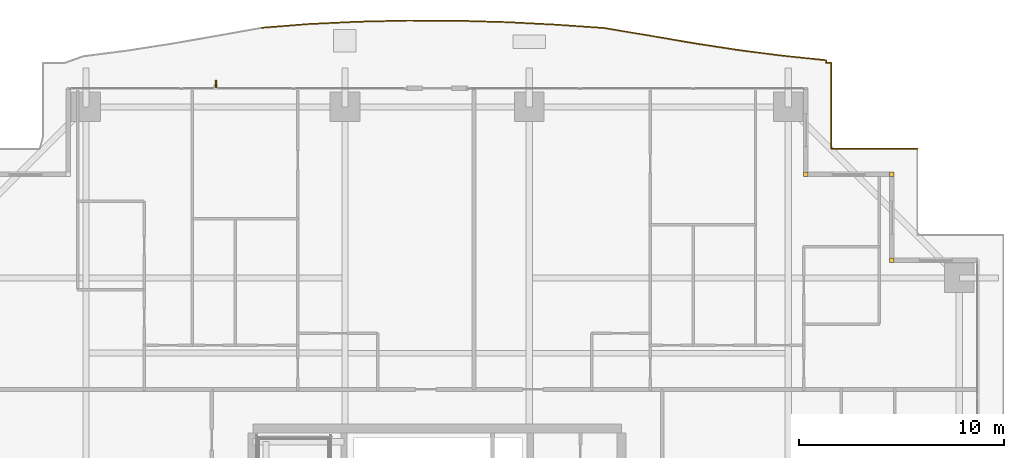
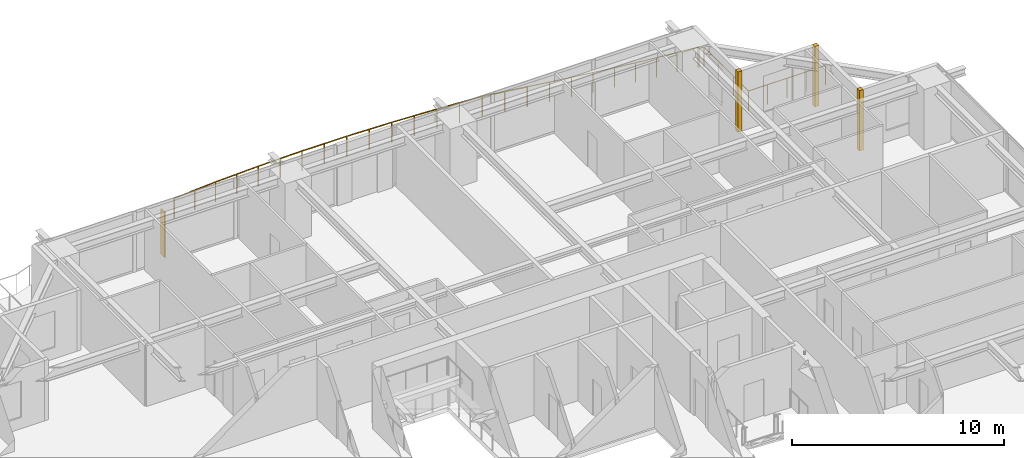
# One storey, part 36 of 36: 3 coverings, 2 railings, 1 shading device.
"""IFC4 building model written with IfcOpenShell, lengths in metres."""

import ifcopenshell
import ifcopenshell.guid

model = None  # the IFC model being written
_history = None  # IfcOwnerHistory: only IFC2X3 demands one
_inside = {}  # id of a spatial element -> (the spatial element, [elements in it])
_under = {}  # id of a project, library or spatial element -> (it, [spatial elements below it])
_declared = {}  # id of a project -> (the project, [libraries it declares])
_typed = {}  # id of a type object -> (the type object, [elements of that type])
_made_of = {}  # id of a material, layer set ... -> (it, [elements and type objects made of it])


def new_model(schema):
    """Start an empty IFC model of exactly this schema.

    Asked for "IFC4X3", IfcOpenShell would pick the latest addendum, in which some entities
    have other attributes; the version numbers below select the first issue.
    IFC2X3 requires an IfcOwnerHistory on every rooted entity: one is made here for all.
    """
    global model, _history
    if schema == "IFC4X3":
        model = ifcopenshell.file(schema_version=(4, 3, 0, 0))
    else:
        model = ifcopenshell.file(schema=schema)
    _inside.clear()
    _under.clear()
    _declared.clear()
    _typed.clear()
    _made_of.clear()
    _history = None
    if model.schema == "IFC2X3":
        org = make("IfcOrganization", Name="unknown")
        user = make(
            "IfcPersonAndOrganization",
            ThePerson=make("IfcPerson", FamilyName="unknown"),
            TheOrganization=org,
        )
        app = make(
            "IfcApplication",
            ApplicationDeveloper=org,
            Version="unknown",
            ApplicationFullName="unknown",
            ApplicationIdentifier="unknown",
        )
        _history = make(
            "IfcOwnerHistory",
            OwningUser=user,
            OwningApplication=app,
            ChangeAction="ADDED",
            CreationDate=0,
        )
    return model


def make(cls, **values):
    """One entity of the class cls with the attributes given. An attribute that is None is left unset."""
    return model.create_entity(
        cls, **{name: value for name, value in values.items() if value is not None}
    )


def rooted(cls, **values):
    """An entity with a GlobalId (a new one), such as an element, a storey or a relation."""
    return make(cls, GlobalId=ifcopenshell.guid.new(), OwnerHistory=_history, **values)


def si_unit(unit_type, name, prefix=None):
    """IfcSIUnit, for example si_unit("LENGTHUNIT", "METRE", prefix="MILLI")."""
    return make("IfcSIUnit", UnitType=unit_type, Prefix=prefix, Name=name)


def assignment(units):
    """IfcUnitAssignment: the units of a project."""
    return None if units is None else make("IfcUnitAssignment", Units=units)


def point(xyz):
    """IfcCartesianPoint."""
    return None if xyz is None else make("IfcCartesianPoint", Coordinates=xyz)


def direction(xyz):
    """IfcDirection."""
    return None if xyz is None else make("IfcDirection", DirectionRatios=xyz)


def frame(location, z_axis=None, x_axis=None):
    """IfcAxis2Placement3D, a coordinate frame: its origin and axes. An axis left out is left unset."""
    return make(
        "IfcAxis2Placement3D",
        Location=point(location),
        Axis=direction(z_axis),
        RefDirection=direction(x_axis),
    )


def frame_2d(location, x_axis=None):
    """IfcAxis2Placement2D, a coordinate frame in the plane: its origin and x axis."""
    return make(
        "IfcAxis2Placement2D", Location=point(location), RefDirection=direction(x_axis)
    )


def origin():
    """The frame at (0, 0, 0) with its axes left unset."""
    return frame((0.0, 0.0, 0.0))


def origin_2d():
    """The frame at (0, 0) in the plane with its x axis left unset."""
    return frame_2d((0.0, 0.0))


def place(relative_to, where):
    """IfcLocalPlacement: puts the frame where relative to a parent placement (None: the world)."""
    return make(
        "IfcLocalPlacement", PlacementRelTo=relative_to, RelativePlacement=where
    )


def context(
    kind, dimensions, precision=None, world=None, true_north=None, identifier=None
):
    """IfcGeometricRepresentationContext, for example the 3D "Model" context."""
    return make(
        "IfcGeometricRepresentationContext",
        ContextIdentifier=identifier,
        ContextType=kind,
        CoordinateSpaceDimension=dimensions,
        Precision=precision,
        WorldCoordinateSystem=world,
        TrueNorth=true_north,
    )


def subcontext(parent, identifier, kind, view, scale=None):
    """IfcGeometricRepresentationSubContext, for example "Body" below "Model"."""
    return make(
        "IfcGeometricRepresentationSubContext",
        ContextIdentifier=identifier,
        ContextType=kind,
        ParentContext=parent,
        TargetScale=scale,
        TargetView=view,
    )


def project(units=None, contexts=None):
    """IfcProject with its units and contexts."""
    return rooted(
        "IfcProject",
        Name="project",
        RepresentationContexts=contexts,
        UnitsInContext=assignment(units),
    )


def spatial(cls, under=None, at=None, **own):
    """A site, building, storey or space (cls), placed at a placement, below another one or the project."""
    s = rooted(cls, ObjectPlacement=at, **own)
    if under is not None:
        _under.setdefault(under.id(), (under, []))[1].append(s)
    return s


def profile(cls, at=None, kind="AREA", **sizes):
    """A parametric profile (cls). Its sizes go by their IFC names, for example OverallWidth=200.0."""
    return make(cls, ProfileType=kind, Position=at, **sizes)


def rectangle(**sizes):
    """IfcRectangleProfileDef."""
    return profile("IfcRectangleProfileDef", **sizes)


def circle(**sizes):
    """IfcCircleProfileDef."""
    return profile("IfcCircleProfileDef", **sizes)


def extrude(swept, where, along, depth):
    """IfcExtrudedAreaSolid: the profile swept, set in the frame where, extruded along a direction by depth."""
    return make(
        "IfcExtrudedAreaSolid",
        SweptArea=swept,
        Position=where,
        ExtrudedDirection=direction(along),
        Depth=depth,
    )


def shape(context_of_items, identifier, shape_type, items):
    """IfcShapeRepresentation: the items that make up one representation, for example the "Body"."""
    return make(
        "IfcShapeRepresentation",
        ContextOfItems=context_of_items,
        RepresentationIdentifier=identifier,
        RepresentationType=shape_type,
        Items=items,
    )


def source(mapping_origin, context_of_items, identifier, shape_type, items):
    """IfcRepresentationMap: a shape defined once, which mapped items show again and again."""
    return make(
        "IfcRepresentationMap",
        MappingOrigin=mapping_origin,
        MappedRepresentation=shape(context_of_items, identifier, shape_type, items),
    )


def transform(
    local_origin,
    x_axis=None,
    y_axis=None,
    z_axis=None,
    scale=None,
    scale2=None,
    scale3=None,
    uniform=True,
):
    """IfcCartesianTransformationOperator3D, or its non-uniform kind. x_axis, y_axis, z_axis: its Axis1, 2, 3."""
    if uniform:
        return make(
            "IfcCartesianTransformationOperator3D",
            Axis1=direction(x_axis),
            Axis2=direction(y_axis),
            LocalOrigin=point(local_origin),
            Scale=scale,
            Axis3=direction(z_axis),
        )
    return make(
        "IfcCartesianTransformationOperator3DnonUniform",
        Axis1=direction(x_axis),
        Axis2=direction(y_axis),
        LocalOrigin=point(local_origin),
        Scale=scale,
        Axis3=direction(z_axis),
        Scale2=scale2,
        Scale3=scale3,
    )


def mapped(mapping_source, mapping_target):
    """IfcMappedItem: shows the shape of a source again, moved by a transform."""
    return make(
        "IfcMappedItem", MappingSource=mapping_source, MappingTarget=mapping_target
    )


def material(Name=None, Category=None):
    """IfcMaterial."""
    return make("IfcMaterial", Name=Name, Category=Category)


def layer(
    of_material, thickness, ventilated=None, Name=None, Category=None, Priority=None
):
    """IfcMaterialLayer: one layer of a wall or slab, of a material (None: an air gap)."""
    return make(
        "IfcMaterialLayer",
        Material=of_material,
        LayerThickness=thickness,
        IsVentilated=ventilated,
        Name=Name,
        Category=Category,
        Priority=Priority,
    )


def layer_set(layers, Name=None):
    """IfcMaterialLayerSet."""
    return make("IfcMaterialLayerSet", MaterialLayers=layers, LayerSetName=Name)


def made_of(thing, what):
    """Note that an element or type object is made of a material, layer set ...; save() writes the relation."""
    if what is not None:
        _made_of.setdefault(what.id(), (what, []))[1].append(thing)
    return thing


def type_object(cls, material=None, **own):
    """A type object (cls), such as IfcWallType, which elements share."""
    return made_of(rooted(cls, **own), material)


def element(
    cls,
    number,
    at=None,
    inside=None,
    cuts=None,
    type_object=None,
    material=None,
    context=None,
    identifier="Body",
    shape_type=None,
    held_by="IfcProductDefinitionShape",
    body=None,
    shapes=None,
    **own,
):
    """One element of the class cls, such as IfcWall. Its Tag is "e" and its number.

    at: its placement. inside: the storey or other place that contains it. cuts: it is an
    opening in that element (IfcRelVoidsElement). A single representation is given by context,
    identifier, shape_type and body (its items); several are given by shapes. held_by: the class
    of the entity that holds the representations. save() writes the other relations.
    """
    e = rooted(cls, Tag="e%d" % number, ObjectPlacement=at, **own)
    if body is not None:
        shapes = [shape(context, identifier, shape_type, body)]
    if shapes is not None:
        e.Representation = make(held_by, Representations=shapes)
    if inside is not None:
        _inside.setdefault(inside.id(), (inside, []))[1].append(e)
    if cuts is not None:
        rooted(
            "IfcRelVoidsElement", RelatingBuildingElement=cuts, RelatedOpeningElement=e
        )
    if type_object is not None:
        _typed.setdefault(type_object.id(), (type_object, []))[1].append(e)
    return made_of(e, material)


def aggregate(whole, parts):
    """IfcRelAggregates: a whole, such as a stair, and the parts it consists of."""
    return rooted("IfcRelAggregates", RelatingObject=whole, RelatedObjects=parts)


def save(model, path):
    """Write the relations noted so far, then the file.

    IfcRelAggregates (storeys below a building ...), IfcRelContainedInSpatialStructure (elements
    in a storey), IfcRelDefinesByType, IfcRelAssociatesMaterial and IfcRelDeclares: one each for
    every whole, place, type object, material and project.
    """
    for whole, parts in _under.values():
        aggregate(whole, parts)
    for where, things in _inside.values():
        rooted(
            "IfcRelContainedInSpatialStructure",
            RelatedElements=things,
            RelatingStructure=where,
        )
    for kind, things in _typed.values():
        rooted("IfcRelDefinesByType", RelatedObjects=things, RelatingType=kind)
    for what, things in _made_of.values():
        rooted("IfcRelAssociatesMaterial", RelatedObjects=things, RelatingMaterial=what)
    for by, libraries in _declared.values():
        rooted("IfcRelDeclares", RelatingContext=by, RelatedDefinitions=libraries)
    model.write(path)


model = new_model("IFC4")

# Units and contexts
model_context = context("Model", 3, precision=1e-05, world=origin(), true_north=direction((0.0, 1.0)))
body_context = subcontext(model_context, "Body", "Model", "MODEL_VIEW")
ifc_project = project(units=[si_unit("LENGTHUNIT", "METRE"), si_unit("AREAUNIT", "SQUARE_METRE"), si_unit("VOLUMEUNIT", "CUBIC_METRE"), si_unit("PLANEANGLEUNIT", "RADIAN"), si_unit("MASSUNIT", "GRAM", prefix="KILO")], contexts=[model_context])

# Site, building, storey
site_placement = place(None, origin())
site = spatial("IfcSite", under=ifc_project, at=site_placement, CompositionType="ELEMENT")
building_placement = place(site_placement, origin())
building = spatial("IfcBuilding", under=site, at=building_placement, Name="Serunith Strait Residences", CompositionType="ELEMENT")
storey_placement = place(building_placement, frame((0.0, 0.0, 41.699951171875)))
storey = spatial("IfcBuildingStorey", under=building, at=storey_placement, Name="L09", CompositionType="ELEMENT", Elevation=41.699951171875)

# Railings
ifc_material_1 = material(Name="Stainless Steel & Laminated Glass Balustrade", Category="steel")
railing_type = type_object("IfcRailingType", Name="RLG-BALC-1150", PredefinedType="BALUSTRADE", material=ifc_material_1)
railing_1_placement = place(storey_placement, frame((23.78759765625, 53.162109375, -0.050048828125)))
element("IfcRailing", 1, at=railing_1_placement, inside=storey, type_object=railing_type, Name="L09 Swirling Balcony Perimeter Balustrade 5", PredefinedType="BALUSTRADE", context=body_context, shape_type="SweptSolid", body=[
    extrude(circle(Radius=0.02392578125, at=origin_2d()), frame((0.001953125, 0.000244140625, 1.1259765625), z_axis=(0.996883615867, 0.078886351266, 0.0), x_axis=(-0.078886351266, 0.996883615867, 0.0)), (0.0, 0.0, 1.0), 2.357421875),
    extrude(circle(Radius=0.02392578125, at=origin_2d()), frame((2.35595703125, 0.186279296875, 1.1259765625), z_axis=(0.998869749053, 0.047531299451, 0.0), x_axis=(-0.047531299451, 0.998869749053, 0.0)), (0.0, 0.0, 1.0), 2.394775390625),
    extrude(circle(Radius=0.02392578125, at=origin_2d()), frame((4.751953125, 0.30029296875, 1.1259765625), z_axis=(0.999737492495, 0.022911702251, 0.0), x_axis=(-0.022911702251, 0.999737492495, 0.0)), (0.0, 0.0, 1.0), 2.414794921875),
    extrude(circle(Radius=0.02392578125, at=origin_2d()), frame((7.170166015625, 0.355712890625, 1.1259765625), z_axis=(0.999994144172, -0.00342222455, 0.0), x_axis=(0.00342222455, 0.999994144172, 0.0)), (0.0, 0.0, 1.0), 2.421630859375),
    extrude(circle(Radius=0.02392578125, at=origin_2d()), frame((9.595703125, 0.347412109375, 1.1259765625), z_axis=(0.999588702533, -0.028677966615, 0.0), x_axis=(0.028677966615, 0.999588702533, 0.0)), (0.0, 0.0, 1.0), 2.413818359375),
    extrude(circle(Radius=0.02392578125, at=origin_2d()), frame((12.012451171875, 0.278076171875, 1.1259765625), z_axis=(0.998692200836, -0.051126196698, 0.0), x_axis=(0.051126196698, 0.998692200836, 0.0)), (0.0, 0.0, 1.0), 2.39306640625),
    extrude(circle(Radius=0.02392578125, at=origin_2d()), frame((14.406494140625, 0.1552734375, 1.1259765625), z_axis=(0.997637646817, -0.068695892554, 0.0), x_axis=(0.068695892554, 0.997637646817, 0.0)), (0.0, 0.0, 1.0), 2.363037109375),
    extrude(circle(Radius=0.02392578125, at=origin_2d()), frame((16.767822265625, -0.00732421875, 1.1259765625), z_axis=(0.986231656121, -0.165369647954, 0.0), x_axis=(0.165369647954, 0.986231656121, 0.0)), (0.0, 0.0, 1.0), 2.27978515625),
    extrude(circle(Radius=0.02099609375, at=origin_2d()), origin(), (0.0, 0.0, 1.0), 1.099853515625),
    extrude(circle(Radius=0.02099609375, at=origin_2d()), frame((1.177001953125, 0.09326171875, 0.0)), (0.0, 0.0, 1.0), 1.099853515625),
    extrude(circle(Radius=0.02099609375, at=origin_2d()), frame((2.35400390625, 0.186279296875, 0.0)), (0.0, 0.0, 1.0), 1.099853515625),
    extrude(circle(Radius=0.02099609375, at=origin_2d()), frame((3.552001953125, 0.2431640625, 0.0)), (0.0, 0.0, 1.0), 1.099853515625),
    extrude(circle(Radius=0.02099609375, at=origin_2d()), frame((4.75, 0.30029296875, 0.0)), (0.0, 0.0, 1.0), 1.099853515625),
    extrude(circle(Radius=0.02099609375, at=origin_2d()), frame((5.958984375, 0.328125, 0.0)), (0.0, 0.0, 1.0), 1.099853515625),
    extrude(circle(Radius=0.02099609375, at=origin_2d()), frame((7.168212890625, 0.355712890625, 0.0)), (0.0, 0.0, 1.0), 1.099853515625),
    extrude(circle(Radius=0.02099609375, at=origin_2d()), frame((8.380859375, 0.3515625, 0.0)), (0.0, 0.0, 1.0), 1.099853515625),
    extrude(circle(Radius=0.02099609375, at=origin_2d()), frame((9.59375, 0.347412109375, 0.0)), (0.0, 0.0, 1.0), 1.099853515625),
    extrude(circle(Radius=0.02099609375, at=origin_2d()), frame((10.80224609375, 0.312744140625, 0.0)), (0.0, 0.0, 1.0), 1.099853515625),
    extrude(circle(Radius=0.02099609375, at=origin_2d()), frame((12.010498046875, 0.278076171875, 0.0)), (0.0, 0.0, 1.0), 1.099853515625),
    extrude(circle(Radius=0.02099609375, at=origin_2d()), frame((13.20751953125, 0.216796875, 0.0)), (0.0, 0.0, 1.0), 1.099853515625),
    extrude(circle(Radius=0.02099609375, at=origin_2d()), frame((14.404541015625, 0.155517578125, 0.0)), (0.0, 0.0, 1.0), 1.099853515625),
    extrude(circle(Radius=0.02099609375, at=origin_2d()), frame((15.585205078125, 0.07421875, 0.0)), (0.0, 0.0, 1.0), 1.099853515625),
    extrude(circle(Radius=0.02099609375, at=origin_2d()), frame((16.765869140625, -0.007080078125, 0.0)), (0.0, 0.0, 1.0), 1.099853515625),
    extrude(circle(Radius=0.02099609375, at=origin_2d()), frame((17.89208984375, -0.19580078125, 0.0)), (0.0, 0.0, 1.0), 1.099853515625),
    extrude(circle(Radius=0.02099609375, at=origin_2d()), frame((19.018310546875, -0.384765625, 0.0)), (0.0, 0.0, 1.0), 1.099853515625),
])
railing_2_placement = place(storey_placement, frame((42.805908203125, 52.77734375, -0.050048828125)))
element("IfcRailing", 2, at=railing_2_placement, inside=storey, type_object=railing_type, Name="L09 Swirling Balcony Perimeter Balustrade 6", PredefinedType="BALUSTRADE", context=body_context, shape_type="SweptSolid", body=[
    extrude(circle(Radius=0.02392578125, at=origin_2d()), frame((0.001953125, -0.000244140625, 1.1259765625), z_axis=(0.985677648762, -0.168640365068, 0.0), x_axis=(0.168640365068, 0.985677648762, 0.0)), (0.0, 0.0, 1.0), 2.216796875),
    extrude(circle(Radius=0.02392578125, at=origin_2d()), frame((2.19091796875, -0.374755859375, 1.1259765625), z_axis=(0.988468821321, -0.151424533269, 0.0), x_axis=(0.151424533269, 0.988468821321, 0.0)), (0.0, 0.0, 1.0), 2.1708984375),
    extrude(circle(Radius=0.02392578125, at=origin_2d()), frame((4.3408203125, -0.7041015625, 1.1259765625), z_axis=(0.991834130709, -0.12753453321, 0.0), x_axis=(0.12753453321, 0.991834130709, 0.0)), (0.0, 0.0, 1.0), 2.141845703125),
    extrude(circle(Radius=0.02392578125, at=origin_2d()), frame((6.46923828125, -0.977783203125, 1.1259765625), z_axis=(0.994712382559, -0.102699931763, 0.0), x_axis=(0.102699931763, 0.994712382559, 0.0)), (0.0, 0.0, 1.0), 2.12841796875),
    extrude(circle(Radius=0.02392578125, at=origin_2d()), frame((8.58837890625, -1.198486328125, 1.1259765625), z_axis=(-0.008080544258, -0.999967351869, 0.0), x_axis=(0.999967351869, -0.008080544258, 0.0)), (0.0, 0.0, 1.0), 0.116943359375),
    extrude(circle(Radius=0.02392578125, at=origin_2d()), frame((8.58935546875, -1.3173828125, 1.1259765625), z_axis=(1.0, 0.0, 0.0), x_axis=(0.0, 1.0, 0.0)), (0.0, 0.0, 1.0), 0.2626953125),
    extrude(circle(Radius=0.02392578125, at=origin_2d()), frame((8.85400390625, -1.3193359375, 1.1259765625), z_axis=(0.0, -1.0, 0.0), x_axis=(1.0, 0.0, 0.0)), (0.0, 0.0, 1.0), 4.196044921875),
    extrude(circle(Radius=0.02392578125, at=origin_2d()), frame((8.85595703125, -5.517333984375, 1.1259765625), z_axis=(1.0, 0.0, 0.0), x_axis=(0.0, 1.0, 0.0)), (0.0, 0.0, 1.0), 4.1962890625),
    extrude(circle(Radius=0.02099609375, at=origin_2d()), origin(), (0.0, 0.0, 1.0), 1.099853515625),
    extrude(circle(Radius=0.02099609375, at=origin_2d()), frame((1.094482421875, -0.187255859375, 0.0)), (0.0, 0.0, 1.0), 1.099853515625),
    extrude(circle(Radius=0.02099609375, at=origin_2d()), frame((2.18896484375, -0.37451171875, 0.0)), (0.0, 0.0, 1.0), 1.099853515625),
    extrude(circle(Radius=0.02099609375, at=origin_2d()), frame((3.263916015625, -0.5390625, 0.0)), (0.0, 0.0, 1.0), 1.099853515625),
    extrude(circle(Radius=0.02099609375, at=origin_2d()), frame((4.3388671875, -0.703857421875, 0.0)), (0.0, 0.0, 1.0), 1.099853515625),
    extrude(circle(Radius=0.02099609375, at=origin_2d()), frame((5.403076171875, -0.8408203125, 0.0)), (0.0, 0.0, 1.0), 1.099853515625),
    extrude(circle(Radius=0.02099609375, at=origin_2d()), frame((6.46728515625, -0.9775390625, 0.0)), (0.0, 0.0, 1.0), 1.099853515625),
    extrude(circle(Radius=0.02099609375, at=origin_2d()), frame((7.52783203125, -1.0869140625, 0.0)), (0.0, 0.0, 1.0), 1.099853515625),
    extrude(circle(Radius=0.02099609375, at=origin_2d()), frame((8.58837890625, -1.196533203125, 0.0)), (0.0, 0.0, 1.0), 1.099853515625),
    extrude(circle(Radius=0.02099609375, at=origin_2d()), frame((8.58740234375, -1.3173828125, 0.0)), (0.0, 0.0, 1.0), 1.099853515625),
    extrude(circle(Radius=0.02099609375, at=origin_2d()), frame((8.85400390625, -1.3173828125, 0.0)), (0.0, 0.0, 1.0), 1.099853515625),
    extrude(circle(Radius=0.02099609375, at=origin_2d()), frame((8.85400390625, -2.71728515625, 0.0)), (0.0, 0.0, 1.0), 1.099853515625),
    extrude(circle(Radius=0.02099609375, at=origin_2d()), frame((8.85400390625, -4.117431640625, 0.0)), (0.0, 0.0, 1.0), 1.099853515625),
    extrude(circle(Radius=0.02099609375, at=origin_2d()), frame((8.85400390625, -5.517333984375, 0.0)), (0.0, 0.0, 1.0), 1.099853515625),
    extrude(circle(Radius=0.02099609375, at=origin_2d()), frame((9.904052734375, -5.517333984375, 0.0)), (0.0, 0.0, 1.0), 1.099853515625),
    extrude(circle(Radius=0.02099609375, at=origin_2d()), frame((10.9541015625, -5.517333984375, 0.0)), (0.0, 0.0, 1.0), 1.099853515625),
    extrude(circle(Radius=0.02099609375, at=origin_2d()), frame((12.004150390625, -5.517333984375, 0.0)), (0.0, 0.0, 1.0), 1.099853515625),
    extrude(circle(Radius=0.02099609375, at=origin_2d()), frame((13.05419921875, -5.517333984375, 0.0)), (0.0, 0.0, 1.0), 1.099853515625),
])

# Coverings
ifc_material_2 = material(Name="Pale-Champagne Anodised Aluminium", Category="aluminium")
ifc_layer = layer(ifc_material_2, 0.219970703125, Name="Pale-Champagne Anodised Aluminium")
ifc_layer_set = layer_set([ifc_layer], Name="Pale-Champagne Anodised Aluminium")
covering_type = type_object("IfcCoveringType", Name="COV-CORN-TRIM", PredefinedType="CLADDING", material=ifc_layer_set)
shared_shape_1 = source(origin(), body_context, "Body", "SweptSolid", [
    extrude(rectangle(XDim=0.221923828125, YDim=0.221923828125, at=origin_2d()), origin(), (0.0, 0.0, 1.0), 3.47509765625),
])
for number, where, z_axis, x_axis, name in (
    (3, (54.60009765625, 41.800048828125, 0.0), (0.0, 0.0, 1.0), (1.0, 0.0, 0.0), "L09 Girih Serrated Corner Trim Post 07"),
    (4, (54.60009765625, 46.0, 0.0), (0.0, 0.0, 1.0), (1.0, 0.0, 0.0), "L09 Girih Serrated Corner Trim Post 08"),
    (5, (50.39990234375, 46.0, 0.0), (0.0, 0.0, 1.0), (1.0, 0.0, 0.0), "L09 Girih Serrated Corner Trim Post 09"),
):
    element("IfcCovering", number, at=place(storey_placement, frame(where, z_axis=z_axis, x_axis=x_axis)), inside=storey, type_object=covering_type, Name=name, PredefinedType="CLADDING", context=body_context, shape_type="MappedRepresentation", body=[
        mapped(shared_shape_1, transform((0.0, 0.0, 0.0), scale=1.0)),
    ])

# Shading device
ifc_material_3 = material(Name="Pale-Champagne Perforated Aluminium Fin", Category="aluminium")
shading_device_type = type_object("IfcShadingDeviceType", Name="SHD-DIAG-FIN", PredefinedType="AWNING", material=ifc_material_3)
shared_shape_2 = source(origin(), body_context, "Body", "SweptSolid", [
    extrude(rectangle(XDim=0.080078125, YDim=0.35009765625, at=origin_2d()), origin(), (0.0, 0.0, 1.0), 2.60009765625),
])
shading_device_placement = place(storey_placement, frame((21.60009765625, 50.419921875, 0.199951171875), z_axis=(0.0, 0.0, 1.0), x_axis=(1.0, 0.0, 0.0)))
element("IfcShadingDevice", 6, at=shading_device_placement, inside=storey, type_object=shading_device_type, Name="L09 Diagonal Rhythm Solar Fin N", PredefinedType="AWNING", context=body_context, shape_type="MappedRepresentation", body=[
    mapped(shared_shape_2, transform((0.0, 0.0, 0.0), scale=1.0)),
])

save(model, "model.ifc")
